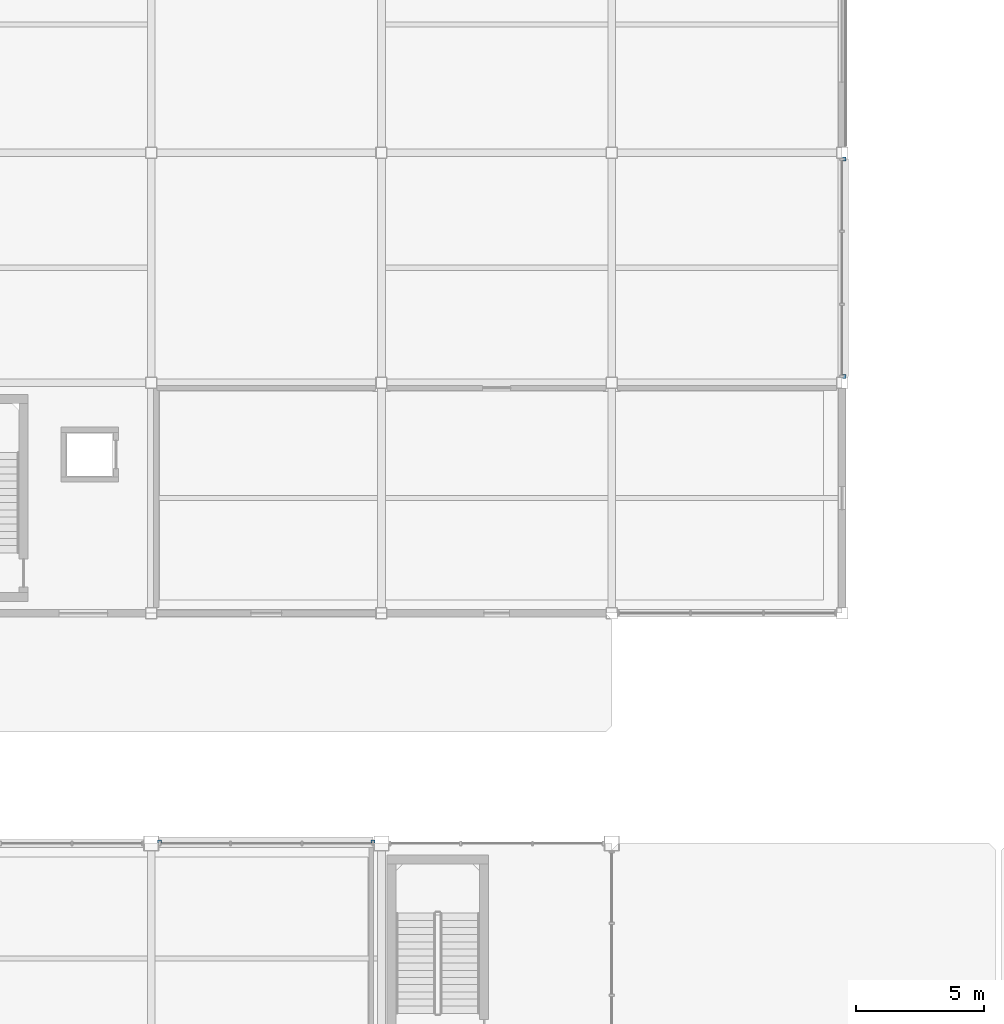
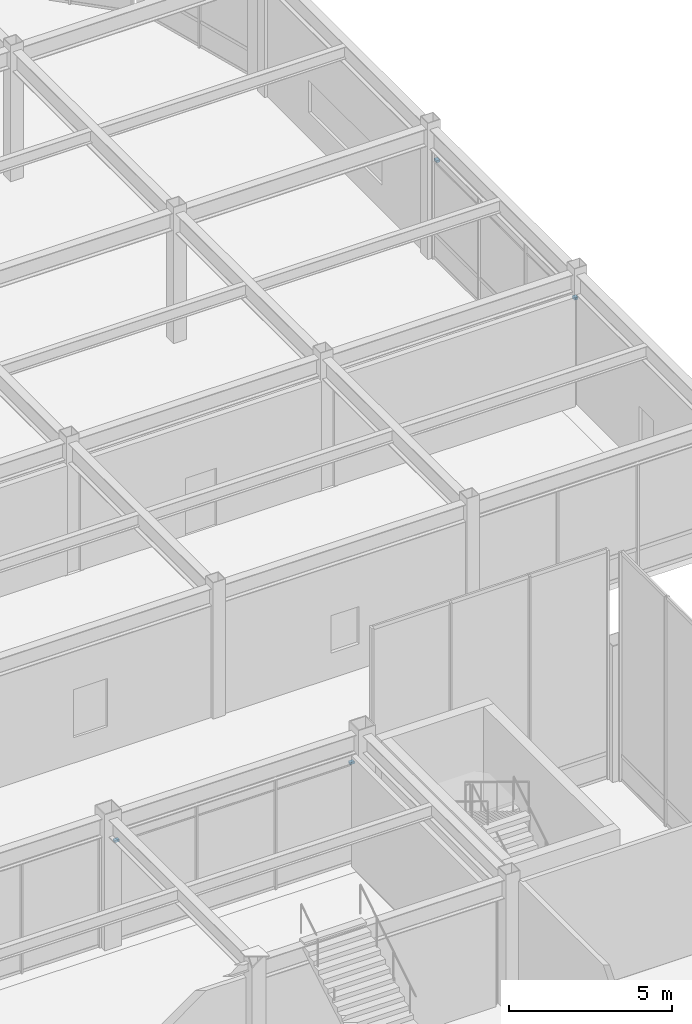
# One storey, part 102 of 123: 4 discrete accessories.
"""IFC4 building model written with IfcOpenShell, lengths in metres."""

from ifc_helpers import new_model, si_unit, direction, frame, origin, origin_2d, place, context, subcontext, project, spatial, rectangle, extrude, material, type_object, element, save


model = new_model("IFC4")

# Units and contexts
model_context = context("Model", 3, precision=1e-05, world=origin(), true_north=direction((0.0, 1.0)))
body_context = subcontext(model_context, "Body", "Model", "MODEL_VIEW")
ifc_project = project(units=[si_unit("LENGTHUNIT", "METRE"), si_unit("AREAUNIT", "SQUARE_METRE"), si_unit("VOLUMEUNIT", "CUBIC_METRE"), si_unit("PLANEANGLEUNIT", "RADIAN"), si_unit("MASSUNIT", "GRAM", prefix="KILO")], contexts=[model_context])

# Site, building, storey
site_placement = place(None, origin())
site = spatial("IfcSite", under=ifc_project, at=site_placement, CompositionType="ELEMENT")
building_placement = place(site_placement, origin())
building = spatial("IfcBuilding", under=site, at=building_placement, Name="Suzunagisa Mobility Hub", CompositionType="ELEMENT")
storey_placement = place(building_placement, origin())
storey = spatial("IfcBuildingStorey", under=building, at=storey_placement, Name="L00", CompositionType="ELEMENT", Elevation=0.0)

# Discrete accessories
ifc_material = material(Name="Stainless Steel SUS316", Category="metal")
discrete_accessory_type = type_object("IfcDiscreteAccessoryType", Name="Stainless Sunshade Outrigger Bracket BRK-01", PredefinedType="BRACKET", material=ifc_material)
for number, where, z_axis, x_axis, name in (
    (1, (107.66748046875, 71.0849609375, 3.659912109375), (0.0, 0.0, 1.0), (-1.0, 0.0, 0.0), "Sunshade Outrigger Bracket BRK-9.1"),
    (2, (99.33251953125, 71.0849609375, 3.659912109375), (0.0, 0.0, 1.0), (-1.0, 0.0, 0.0), "Sunshade Outrigger Bracket BRK-9.2"),
    (3, (126.0849609375, 89.257568359375, 3.599853515625), (0.0, 0.0, 1.0), (0.0, 1.0, 0.0), "Sunshade Outrigger Bracket BRK-18.1"),
    (4, (126.0849609375, 97.742431640625, 3.599853515625), (0.0, 0.0, 1.0), (0.0, 1.0, 0.0), "Sunshade Outrigger Bracket BRK-18.2"),
):
    element("IfcDiscreteAccessory", number, at=place(storey_placement, frame(where, z_axis=z_axis, x_axis=x_axis)), inside=storey, type_object=discrete_accessory_type, Name=name, PredefinedType="BRACKET", context=body_context, shape_type="SweptSolid", body=[
        extrude(rectangle(XDim=0.159912109375, YDim=0.1201171875, at=origin_2d()), origin(), (0.0, 0.0, 1.0), 0.080078125),
    ])

save(model, "model.ifc")
